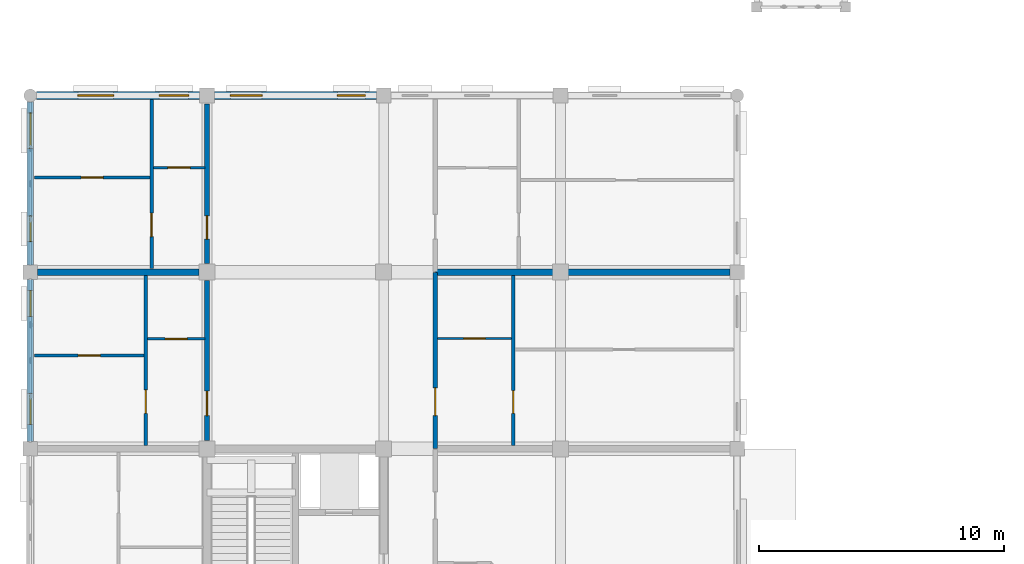
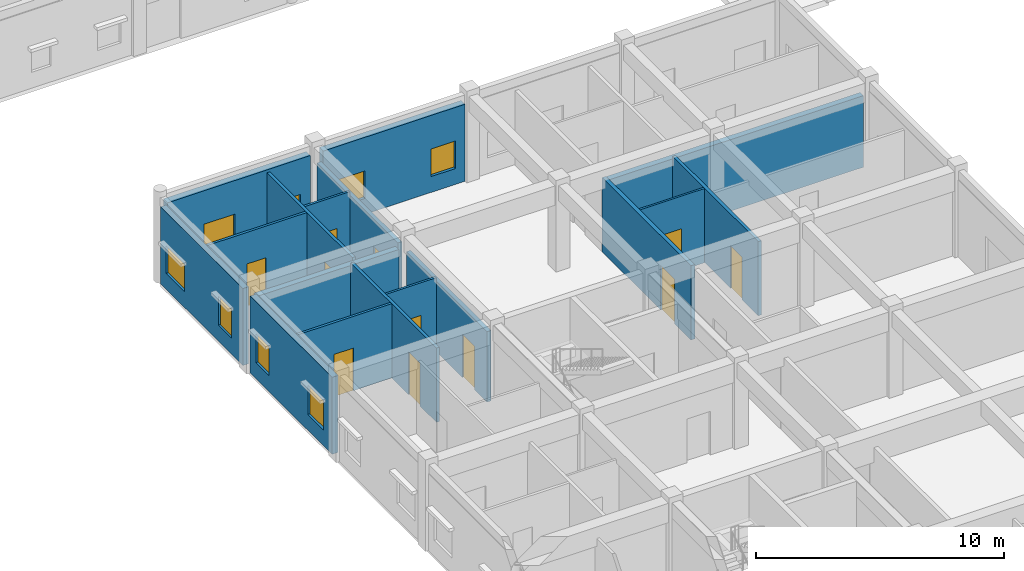
# One storey, part 98 of 138: 17 walls, 11 doors, 8 windows, 19 openings.
"""IFC4 building model written with IfcOpenShell, lengths in metres."""

from ifc_helpers import new_model, si_unit, direction, frame, frame_2d, origin, place, context, subcontext, project, spatial, rectangle, extrude, material, layer, layer_set, type_object, element, fill, save


model = new_model("IFC4")

# Units and contexts
model_context = context("Model", 3, precision=1e-05, world=origin(), true_north=direction((0.0, 1.0)))
body_context = subcontext(model_context, "Body", "Model", "MODEL_VIEW")
ifc_project = project(units=[si_unit("LENGTHUNIT", "METRE"), si_unit("AREAUNIT", "SQUARE_METRE"), si_unit("VOLUMEUNIT", "CUBIC_METRE"), si_unit("PLANEANGLEUNIT", "RADIAN"), si_unit("MASSUNIT", "GRAM", prefix="KILO"), si_unit("THERMODYNAMICTEMPERATUREUNIT", "KELVIN"), si_unit("POWERUNIT", "WATT")], contexts=[model_context])

# Site, building, storey
site_placement = place(None, origin())
site = spatial("IfcSite", under=ifc_project, at=site_placement, CompositionType="ELEMENT")
building_placement = place(site_placement, origin())
building = spatial("IfcBuilding", under=site, at=building_placement, Name="Tavuni Mirador Residences", CompositionType="ELEMENT")
storey_placement = place(building_placement, origin())
storey = spatial("IfcBuildingStorey", under=building, at=storey_placement, Name="L00", CompositionType="ELEMENT", Elevation=0.0)

# Wall, opening, door
ifc_material_1 = material(Name="Precast concrete C40/50", Category="concrete")
ifc_layer_1 = layer(ifc_material_1, 0.18505859375, Name="Precast concrete C40/50", Category="concrete")
ifc_layer_set_1 = layer_set([ifc_layer_1], Name="Precast concrete C40/50")
wall_type_1 = type_object("IfcWallType", Name="WT-CORR185", PredefinedType="PARTITIONING", material=ifc_layer_set_1)
wall_1_placement = place(storey_placement, frame((20.10009765625, 36.02001953125, 0.0), z_axis=(0.0, 0.0, 1.0), x_axis=(0.0, 1.0, 0.0)))
wall_1 = element("IfcWall", 1, at=wall_1_placement, inside=storey, type_object=wall_type_1, Name="CORW-BLK-A-L00-0-04", PredefinedType="PARTITIONING", context=body_context, shape_type="SweptSolid", body=[
    extrude(rectangle(XDim=7.159912109375, YDim=0.18505859375, at=frame_2d((3.580078125, 0.0))), origin(), (0.0, 0.0, 1.0), 3.655029296875),
])
opening_1_placement = place(wall_1_placement, frame((1.330078125, 0.0, 0.0)))
opening_1 = element("IfcOpeningElement", 2, at=opening_1_placement, cuts=wall_1, Name="Opening D-20", PredefinedType="OPENING", context=body_context, shape_type="SweptSolid", body=[
    extrude(rectangle(XDim=1.139892578125, YDim=2.179931640625, at=frame_2d((0.56982421875, 1.08984375))), frame((0.0, 0.1025390625, 0.0), z_axis=(0.0, -1.0, 0.0), x_axis=(1.0, 0.0, 0.0)), (0.0, 0.0, 1.0), 0.205078125),
])
ifc_material_2 = material(Name="Solid core iroko timber", Category="wood")
door_type_1 = type_object("IfcDoorType", Name="DT-FD60-1140", OperationType="NOTDEFINED", PredefinedType="DOOR", material=ifc_material_2)
door_1_placement = place(opening_1_placement, origin())
door_1 = element("IfcDoor", 3, at=door_1_placement, inside=storey, type_object=door_type_1, Name="DR-2387", OperationType="SINGLE_SWING_RIGHT", OverallHeight=2.179931640625, OverallWidth=1.139892578125, PredefinedType="DOOR", context=body_context, shape_type="SweptSolid", body=[
    extrude(rectangle(XDim=1.139892578125, YDim=2.179931640625, at=frame_2d((0.56982421875, 1.08984375))), frame((0.0, 0.02490234375, 0.0), z_axis=(0.0, -1.0, 0.0), x_axis=(1.0, 0.0, 0.0)), (0.0, 0.0, 1.0), 0.050048828125),
])
fill(opening_1, door_1)

wall_2_placement = place(storey_placement, frame((10.800048828125, 36.35009765625, 0.0), z_axis=(0.0, 0.0, 1.0), x_axis=(0.0, 1.0, 0.0)))
wall_2 = element("IfcWall", 4, at=wall_2_placement, inside=storey, type_object=wall_type_1, Name="CORW-BLK-A-L00-1-04", PredefinedType="PARTITIONING", context=body_context, shape_type="SweptSolid", body=[
    extrude(rectangle(XDim=6.5, YDim=0.18505859375, at=frame_2d((3.25, 0.0))), origin(), (0.0, 0.0, 1.0), 3.469970703125),
])
opening_2_placement = place(wall_2_placement, frame((1.0, 0.0, 0.0)))
opening_2 = element("IfcOpeningElement", 5, at=opening_2_placement, cuts=wall_2, Name="Opening D-03", PredefinedType="OPENING", context=body_context, shape_type="SweptSolid", body=[
    extrude(rectangle(XDim=1.0, YDim=2.14990234375, at=frame_2d((0.5, 1.074951171875))), frame((0.0, 0.1025390625, 0.0), z_axis=(0.0, -1.0, 0.0), x_axis=(1.0, 0.0, 0.0)), (0.0, 0.0, 1.0), 0.205078125),
])
door_type_2 = type_object("IfcDoorType", Name="DT-FD60-1000", OperationType="NOTDEFINED", PredefinedType="DOOR", material=ifc_material_2)
door_2_placement = place(opening_2_placement, origin())
door_2 = element("IfcDoor", 6, at=door_2_placement, inside=storey, type_object=door_type_2, Name="DR-2391", OperationType="SINGLE_SWING_RIGHT", OverallHeight=2.14990234375, OverallWidth=1.0, PredefinedType="DOOR", context=body_context, shape_type="SweptSolid", body=[
    extrude(rectangle(XDim=1.0, YDim=2.14990234375, at=frame_2d((0.5, 1.074951171875))), frame((0.0, 0.02490234375, 0.0), z_axis=(0.0, -1.0, 0.0), x_axis=(1.0, 0.0, 0.0)), (0.0, 0.0, 1.0), 0.050048828125),
])
fill(opening_2, door_2)

wall_3_placement = place(storey_placement, frame((10.800048828125, 43.550048828125, 0.0), z_axis=(0.0, 0.0, 1.0), x_axis=(0.0, 1.0, 0.0)))
wall_3 = element("IfcWall", 7, at=wall_3_placement, inside=storey, type_object=wall_type_1, Name="CORW-BLK-A-L00-1-05", PredefinedType="PARTITIONING", context=body_context, shape_type="SweptSolid", body=[
    extrude(rectangle(XDim=6.5, YDim=0.18505859375, at=frame_2d((3.25, 0.0))), origin(), (0.0, 0.0, 1.0), 3.469970703125),
])
opening_3_placement = place(wall_3_placement, frame((1.0, 0.0, 0.0)))
opening_3 = element("IfcOpeningElement", 8, at=opening_3_placement, cuts=wall_3, Name="Opening D-19", PredefinedType="OPENING", context=body_context, shape_type="SweptSolid", body=[
    extrude(rectangle(XDim=0.93994140625, YDim=2.1201171875, at=frame_2d((0.469970703125, 1.06005859375))), frame((0.0, 0.1025390625, 0.0), z_axis=(0.0, -1.0, 0.0), x_axis=(1.0, 0.0, 0.0)), (0.0, 0.0, 1.0), 0.205078125),
])
door_type_3 = type_object("IfcDoorType", Name="DT-FD60-940", OperationType="NOTDEFINED", PredefinedType="DOOR", material=ifc_material_2)
door_3_placement = place(opening_3_placement, origin())
door_3 = element("IfcDoor", 9, at=door_3_placement, inside=storey, type_object=door_type_3, Name="DR-2392", OperationType="SINGLE_SWING_LEFT", OverallHeight=2.1201171875, OverallWidth=0.93994140625, PredefinedType="DOOR", context=body_context, shape_type="SweptSolid", body=[
    extrude(rectangle(XDim=0.93994140625, YDim=2.1201171875, at=frame_2d((0.469970703125, 1.06005859375))), frame((0.0, 0.02490234375, 0.0), z_axis=(0.0, -1.0, 0.0), x_axis=(1.0, 0.0, 0.0)), (0.0, 0.0, 1.0), 0.050048828125),
])
fill(opening_3, door_3)

# Wall, openings, windows
ifc_layer_2 = layer(ifc_material_1, 0.330078125, Name="Precast concrete C40/50", Category="concrete")
ifc_layer_set_2 = layer_set([ifc_layer_2], Name="Precast concrete C40/50")
wall_type_2 = type_object("IfcWallType", Name="WT-EXT-COR330", PredefinedType="SOLIDWALL", material=ifc_layer_set_2)
wall_4_placement = place(storey_placement, frame((10.5, 50.39990234375, 0.0), z_axis=(0.0, 0.0, 1.0), x_axis=(-1.0, 0.0, 0.0)))
wall_4 = element("IfcWall", 10, at=wall_4_placement, inside=storey, type_object=wall_type_2, Name="EW-BLK-A-L00-N00", PredefinedType="SOLIDWALL", context=body_context, shape_type="SweptSolid", body=[
    extrude(rectangle(XDim=6.639892578125, YDim=0.330078125, at=frame_2d((3.31982421875, 0.0))), origin(), (0.0, 0.0, 1.0), 3.7900390625),
])
opening_4_placement = place(wall_4_placement, frame((0.449951171875, 0.0, 0.780029296875)))
opening_4 = element("IfcOpeningElement", 11, at=opening_4_placement, cuts=wall_4, Name="Opening WN-13", PredefinedType="OPENING", context=body_context, shape_type="SweptSolid", body=[
    extrude(rectangle(XDim=1.199951171875, YDim=1.260009765625, at=frame_2d((0.60009765625, 0.6298828125))), frame((0.0, 0.175048828125, 0.0), z_axis=(0.0, -1.0, 0.0), x_axis=(1.0, 0.0, 0.0)), (0.0, 0.0, 1.0), 0.35009765625),
])
opening_5_placement = place(wall_4_placement, frame((3.5, 0.0, 0.780029296875)))
opening_5 = element("IfcOpeningElement", 12, at=opening_5_placement, cuts=wall_4, Name="Opening WN-24", PredefinedType="OPENING", context=body_context, shape_type="SweptSolid", body=[
    extrude(rectangle(XDim=1.4599609375, YDim=1.360107421875, at=frame_2d((0.72998046875, 0.68017578125))), frame((0.0, 0.175048828125, 0.0), z_axis=(0.0, -1.0, 0.0), x_axis=(1.0, 0.0, 0.0)), (0.0, 0.0, 1.0), 0.35009765625),
])
ifc_material_3 = material(Name="Laminated solar-control glass", Category="glass")
window_type_1 = type_object("IfcWindowType", Name="WNT-13", PartitioningType="SINGLE_PANEL", PredefinedType="WINDOW", material=ifc_material_3)
window_1_placement = place(opening_4_placement, origin())
window_1 = element("IfcWindow", 13, at=window_1_placement, inside=storey, type_object=window_type_1, Name="WIN-0021", OverallHeight=1.260009765625, OverallWidth=1.199951171875, PartitioningType="SINGLE_PANEL", PredefinedType="WINDOW", context=body_context, shape_type="SweptSolid", body=[
    extrude(rectangle(XDim=1.199951171875, YDim=1.260009765625, at=frame_2d((0.60009765625, 0.6298828125))), frame((0.0, 0.030029296875, 0.0), z_axis=(0.0, -1.0, 0.0), x_axis=(1.0, 0.0, 0.0)), (0.0, 0.0, 1.0), 0.06005859375),
])
fill(opening_4, window_1)
window_type_2 = type_object("IfcWindowType", Name="WNT-24", PartitioningType="SINGLE_PANEL", PredefinedType="WINDOW", material=ifc_material_3)
window_2_placement = place(opening_5_placement, origin())
window_2 = element("IfcWindow", 14, at=window_2_placement, inside=storey, type_object=window_type_2, Name="WIN-0022", OverallHeight=1.360107421875, OverallWidth=1.4599609375, PartitioningType="SINGLE_PANEL", PredefinedType="WINDOW", context=body_context, shape_type="SweptSolid", body=[
    extrude(rectangle(XDim=1.4599609375, YDim=1.360107421875, at=frame_2d((0.72998046875, 0.68017578125))), frame((0.0, 0.030029296875, 0.0), z_axis=(0.0, -1.0, 0.0), x_axis=(1.0, 0.0, 0.0)), (0.0, 0.0, 1.0), 0.06005859375),
])
fill(opening_5, window_2)

ifc_material_4 = material(Name="Sgraffito lime-rendered precast concrete C40/50", Category="concrete")
ifc_layer_3 = layer(ifc_material_4, 0.2548828125, Name="Sgraffito lime-rendered precast concrete C40/50", Category="concrete")
ifc_layer_set_3 = layer_set([ifc_layer_3], Name="Sgraffito lime-rendered precast concrete C40/50")
wall_type_3 = type_object("IfcWallType", Name="WT-EXT-PC255", PredefinedType="SOLIDWALL", material=ifc_layer_set_3)
wall_5_placement = place(storey_placement, frame((3.60009765625, 50.139892578125, 0.0), z_axis=(0.0, 0.0, 1.0), x_axis=(0.0, -1.0, 0.0)))
wall_5 = element("IfcWall", 15, at=wall_5_placement, inside=storey, type_object=wall_type_3, Name="EW-BLK-A-L00-W05", PredefinedType="SOLIDWALL", context=body_context, shape_type="SweptSolid", body=[
    extrude(rectangle(XDim=6.639892578125, YDim=0.2548828125, at=frame_2d((3.31982421875, 0.0))), origin(), (0.0, 0.0, 1.0), 3.7900390625),
])
opening_6_placement = place(wall_5_placement, frame((0.449951171875, 0.0, 0.780029296875)))
opening_6 = element("IfcOpeningElement", 16, at=opening_6_placement, cuts=wall_5, Name="Opening WN-24", PredefinedType="OPENING", context=body_context, shape_type="SweptSolid", body=[
    extrude(rectangle(XDim=1.4599609375, YDim=1.360107421875, at=frame_2d((0.72998046875, 0.68017578125))), frame((0.0, 0.137451171875, 0.0), z_axis=(0.0, -1.0, 0.0), x_axis=(1.0, 0.0, 0.0)), (0.0, 0.0, 1.0), 0.27490234375),
])
opening_7_placement = place(wall_5_placement, frame((4.64990234375, 0.0, 0.780029296875)))
opening_7 = element("IfcOpeningElement", 17, at=opening_7_placement, cuts=wall_5, Name="Opening WN-26", PredefinedType="OPENING", context=body_context, shape_type="SweptSolid", body=[
    extrude(rectangle(XDim=1.050048828125, YDim=1.43994140625, at=frame_2d((0.52490234375, 0.719970703125))), frame((0.0, 0.137451171875, 0.0), z_axis=(0.0, -1.0, 0.0), x_axis=(1.0, 0.0, 0.0)), (0.0, 0.0, 1.0), 0.27490234375),
])
window_3_placement = place(opening_6_placement, origin())
window_3 = element("IfcWindow", 18, at=window_3_placement, inside=storey, type_object=window_type_2, Name="WIN-0023", OverallHeight=1.360107421875, OverallWidth=1.4599609375, PartitioningType="SINGLE_PANEL", PredefinedType="WINDOW", context=body_context, shape_type="SweptSolid", body=[
    extrude(rectangle(XDim=1.4599609375, YDim=1.360107421875, at=frame_2d((0.72998046875, 0.68017578125))), frame((0.0, 0.030029296875, 0.0), z_axis=(0.0, -1.0, 0.0), x_axis=(1.0, 0.0, 0.0)), (0.0, 0.0, 1.0), 0.06005859375),
])
fill(opening_6, window_3)
window_type_3 = type_object("IfcWindowType", Name="WNT-26", PartitioningType="SINGLE_PANEL", PredefinedType="WINDOW", material=ifc_material_3)
window_4_placement = place(opening_7_placement, origin())
window_4 = element("IfcWindow", 19, at=window_4_placement, inside=storey, type_object=window_type_3, Name="WIN-0024", OverallHeight=1.43994140625, OverallWidth=1.050048828125, PartitioningType="SINGLE_PANEL", PredefinedType="WINDOW", context=body_context, shape_type="SweptSolid", body=[
    extrude(rectangle(XDim=1.050048828125, YDim=1.43994140625, at=frame_2d((0.52490234375, 0.719970703125))), frame((0.0, 0.030029296875, 0.0), z_axis=(0.0, -1.0, 0.0), x_axis=(1.0, 0.0, 0.0)), (0.0, 0.0, 1.0), 0.06005859375),
])
fill(opening_7, window_4)

ifc_layer_4 = layer(ifc_material_4, 0.27490234375, Name="Sgraffito lime-rendered precast concrete C40/50", Category="concrete")
ifc_layer_set_4 = layer_set([ifc_layer_4], Name="Sgraffito lime-rendered precast concrete C40/50")
wall_type_4 = type_object("IfcWallType", Name="WT-EXT-PC275", PredefinedType="SOLIDWALL", material=ifc_layer_set_4)
wall_6_placement = place(storey_placement, frame((3.60009765625, 42.89990234375, 0.0), z_axis=(0.0, 0.0, 1.0), x_axis=(0.0, -1.0, 0.0)))
wall_6 = element("IfcWall", 20, at=wall_6_placement, inside=storey, type_object=wall_type_4, Name="EW-BLK-A-L00-W04", PredefinedType="SOLIDWALL", context=body_context, shape_type="SweptSolid", body=[
    extrude(rectangle(XDim=6.599853515625, YDim=0.27490234375, at=frame_2d((3.2998046875, 0.0))), origin(), (0.0, 0.0, 1.0), 3.7900390625),
])
opening_8_placement = place(wall_6_placement, frame((0.449951171875, 0.0, 0.780029296875)))
opening_8 = element("IfcOpeningElement", 21, at=opening_8_placement, cuts=wall_6, Name="Opening WN-26", PredefinedType="OPENING", context=body_context, shape_type="SweptSolid", body=[
    extrude(rectangle(XDim=1.050048828125, YDim=1.43994140625, at=frame_2d((0.52490234375, 0.719970703125))), frame((0.0, 0.1474609375, 0.0), z_axis=(0.0, -1.0, 0.0), x_axis=(1.0, 0.0, 0.0)), (0.0, 0.0, 1.0), 0.294921875),
])
opening_9_placement = place(wall_6_placement, frame((4.64990234375, 0.0, 0.780029296875)))
opening_9 = element("IfcOpeningElement", 22, at=opening_9_placement, cuts=wall_6, Name="Opening WN-28", PredefinedType="OPENING", context=body_context, shape_type="SweptSolid", body=[
    extrude(rectangle(XDim=1.25, YDim=1.43994140625, at=frame_2d((0.625, 0.719970703125))), frame((0.0, 0.1474609375, 0.0), z_axis=(0.0, -1.0, 0.0), x_axis=(1.0, 0.0, 0.0)), (0.0, 0.0, 1.0), 0.294921875),
])
window_5_placement = place(opening_8_placement, origin())
window_5 = element("IfcWindow", 23, at=window_5_placement, inside=storey, type_object=window_type_3, Name="WIN-0025", OverallHeight=1.43994140625, OverallWidth=1.050048828125, PartitioningType="SINGLE_PANEL", PredefinedType="WINDOW", context=body_context, shape_type="SweptSolid", body=[
    extrude(rectangle(XDim=1.050048828125, YDim=1.43994140625, at=frame_2d((0.52490234375, 0.719970703125))), frame((0.0, 0.030029296875, 0.0), z_axis=(0.0, -1.0, 0.0), x_axis=(1.0, 0.0, 0.0)), (0.0, 0.0, 1.0), 0.06005859375),
])
fill(opening_8, window_5)
window_type_4 = type_object("IfcWindowType", Name="WNT-28", PartitioningType="SINGLE_PANEL", PredefinedType="WINDOW", material=ifc_material_3)
window_6_placement = place(opening_9_placement, origin())
window_6 = element("IfcWindow", 24, at=window_6_placement, inside=storey, type_object=window_type_4, Name="WIN-0026", OverallHeight=1.43994140625, OverallWidth=1.25, PartitioningType="SINGLE_PANEL", PredefinedType="WINDOW", context=body_context, shape_type="SweptSolid", body=[
    extrude(rectangle(XDim=1.25, YDim=1.43994140625, at=frame_2d((0.625, 0.719970703125))), frame((0.0, 0.030029296875, 0.0), z_axis=(0.0, -1.0, 0.0), x_axis=(1.0, 0.0, 0.0)), (0.0, 0.0, 1.0), 0.06005859375),
])
fill(opening_9, window_6)

ifc_layer_5 = layer(ifc_material_4, 0.31494140625, Name="Sgraffito lime-rendered precast concrete C40/50", Category="concrete")
ifc_layer_set_5 = layer_set([ifc_layer_5], Name="Sgraffito lime-rendered precast concrete C40/50")
wall_type_5 = type_object("IfcWallType", Name="WT-EXT-PC315", PredefinedType="SOLIDWALL", material=ifc_layer_set_5)
wall_7_placement = place(storey_placement, frame((17.699951171875, 50.39990234375, 0.0), z_axis=(0.0, 0.0, 1.0), x_axis=(-1.0, 0.0, 0.0)))
wall_7 = element("IfcWall", 25, at=wall_7_placement, inside=storey, type_object=wall_type_5, Name="EW-BLK-A-L00-N01", PredefinedType="SOLIDWALL", context=body_context, shape_type="SweptSolid", body=[
    extrude(rectangle(XDim=6.599853515625, YDim=0.31494140625, at=frame_2d((3.2998046875, 0.0))), origin(), (0.0, 0.0, 1.0), 3.7900390625),
])
opening_10_placement = place(wall_7_placement, frame((0.449951171875, 0.0, 0.780029296875)))
opening_10 = element("IfcOpeningElement", 26, at=opening_10_placement, cuts=wall_7, Name="Opening WN-20", PredefinedType="OPENING", context=body_context, shape_type="SweptSolid", body=[
    extrude(rectangle(XDim=1.139892578125, YDim=1.360107421875, at=frame_2d((0.56982421875, 0.68017578125))), frame((0.0, 0.16748046875, 0.0), z_axis=(0.0, -1.0, 0.0), x_axis=(1.0, 0.0, 0.0)), (0.0, 0.0, 1.0), 0.3349609375),
])
opening_11_placement = place(wall_7_placement, frame((4.64990234375, 0.0, 0.780029296875)))
opening_11 = element("IfcOpeningElement", 27, at=opening_11_placement, cuts=wall_7, Name="Opening WN-22", PredefinedType="OPENING", context=body_context, shape_type="SweptSolid", body=[
    extrude(rectangle(XDim=1.300048828125, YDim=1.360107421875, at=frame_2d((0.64990234375, 0.68017578125))), frame((0.0, 0.16748046875, 0.0), z_axis=(0.0, -1.0, 0.0), x_axis=(1.0, 0.0, 0.0)), (0.0, 0.0, 1.0), 0.3349609375),
])
window_type_5 = type_object("IfcWindowType", Name="WNT-20", PartitioningType="SINGLE_PANEL", PredefinedType="WINDOW", material=ifc_material_3)
window_7_placement = place(opening_10_placement, origin())
window_7 = element("IfcWindow", 28, at=window_7_placement, inside=storey, type_object=window_type_5, Name="WIN-0019", OverallHeight=1.360107421875, OverallWidth=1.139892578125, PartitioningType="SINGLE_PANEL", PredefinedType="WINDOW", context=body_context, shape_type="SweptSolid", body=[
    extrude(rectangle(XDim=1.139892578125, YDim=1.360107421875, at=frame_2d((0.56982421875, 0.68017578125))), frame((0.0, 0.030029296875, 0.0), z_axis=(0.0, -1.0, 0.0), x_axis=(1.0, 0.0, 0.0)), (0.0, 0.0, 1.0), 0.06005859375),
])
fill(opening_10, window_7)
window_type_6 = type_object("IfcWindowType", Name="WNT-22", PartitioningType="SINGLE_PANEL", PredefinedType="WINDOW", material=ifc_material_3)
window_8_placement = place(opening_11_placement, origin())
window_8 = element("IfcWindow", 29, at=window_8_placement, inside=storey, type_object=window_type_6, Name="WIN-0020", OverallHeight=1.360107421875, OverallWidth=1.300048828125, PartitioningType="SINGLE_PANEL", PredefinedType="WINDOW", context=body_context, shape_type="SweptSolid", body=[
    extrude(rectangle(XDim=1.300048828125, YDim=1.360107421875, at=frame_2d((0.64990234375, 0.68017578125))), frame((0.0, 0.030029296875, 0.0), z_axis=(0.0, -1.0, 0.0), x_axis=(1.0, 0.0, 0.0)), (0.0, 0.0, 1.0), 0.06005859375),
])
fill(opening_11, window_8)

# Wall, opening, door
ifc_material_5 = material(Name="Acoustic gypsum and concrete block partition", Category="concrete")
ifc_layer_6 = layer(ifc_material_5, 0.094970703125, Name="Acoustic gypsum and concrete block partition", Category="concrete")
ifc_layer_set_6 = layer_set([ifc_layer_6], Name="Acoustic gypsum and concrete block partition")
wall_type_6 = type_object("IfcWallType", Name="WT-PART095", PredefinedType="PARTITIONING", material=ifc_layer_set_6)
wall_8_placement = place(storey_placement, frame((20.18994140625, 40.5, 0.0), z_axis=(0.0, 0.0, 1.0), x_axis=(1.0, 0.0, 0.0)))
wall_8 = element("IfcWall", 30, at=wall_8_placement, inside=storey, type_object=wall_type_6, Name="PW-BLK-A-L00-E04-IN1", PredefinedType="PARTITIONING", context=body_context, shape_type="SweptSolid", body=[
    extrude(rectangle(XDim=3.02001953125, YDim=0.094970703125, at=frame_2d((1.510009765625, 0.0))), origin(), (0.0, 0.0, 1.0), 3.655029296875),
])
opening_12_placement = place(wall_8_placement, frame((1.074951171875, 0.0, 0.0)))
opening_12 = element("IfcOpeningElement", 31, at=opening_12_placement, cuts=wall_8, Name="Opening D-10", PredefinedType="OPENING", context=body_context, shape_type="SweptSolid", body=[
    extrude(rectangle(XDim=0.8701171875, YDim=2.050048828125, at=frame_2d((0.43505859375, 1.02490234375))), frame((0.0, 0.0576171875, 0.0), z_axis=(0.0, -1.0, 0.0), x_axis=(1.0, 0.0, 0.0)), (0.0, 0.0, 1.0), 0.114990234375),
])
door_type_4 = type_object("IfcDoorType", Name="DT-WC870", OperationType="NOTDEFINED", PredefinedType="DOOR", material=ifc_material_2)
door_4_placement = place(opening_12_placement, origin())
door_4 = element("IfcDoor", 32, at=door_4_placement, inside=storey, type_object=door_type_4, Name="DR-2947", OperationType="SINGLE_SWING_LEFT", OverallHeight=2.050048828125, OverallWidth=0.8701171875, PredefinedType="DOOR", context=body_context, shape_type="SweptSolid", body=[
    extrude(rectangle(XDim=0.8701171875, YDim=2.050048828125, at=frame_2d((0.43505859375, 1.02490234375))), frame((0.0, 0.02490234375, 0.0), z_axis=(0.0, -1.0, 0.0), x_axis=(1.0, 0.0, 0.0)), (0.0, 0.0, 1.0), 0.050048828125),
])
fill(opening_12, door_4)

ifc_layer_7 = layer(ifc_material_5, 0.10498046875, Name="Acoustic gypsum and concrete block partition", Category="concrete")
ifc_layer_set_7 = layer_set([ifc_layer_7], Name="Acoustic gypsum and concrete block partition")
wall_type_7 = type_object("IfcWallType", Name="WT-PART105", PredefinedType="PARTITIONING", material=ifc_layer_set_7)
wall_9_placement = place(storey_placement, frame((8.3701171875, 40.47998046875, 0.0), z_axis=(0.0, 0.0, 1.0), x_axis=(1.0, 0.0, 0.0)))
wall_9 = element("IfcWall", 33, at=wall_9_placement, inside=storey, type_object=wall_type_7, Name="PW-BLK-A-L00-W04-IN1", PredefinedType="PARTITIONING", context=body_context, shape_type="SweptSolid", body=[
    extrude(rectangle(XDim=2.33984375, YDim=0.10498046875, at=frame_2d((1.169921875, 0.0))), origin(), (0.0, 0.0, 1.0), 3.655029296875),
])
opening_13_placement = place(wall_9_placement, frame((0.719970703125, 0.0, 0.0)))
opening_13 = element("IfcOpeningElement", 34, at=opening_13_placement, cuts=wall_9, Name="Opening D-09", PredefinedType="OPENING", context=body_context, shape_type="SweptSolid", body=[
    extrude(rectangle(XDim=0.89990234375, YDim=2.050048828125, at=frame_2d((0.449951171875, 1.02490234375))), frame((0.0, 0.0625, 0.0), z_axis=(0.0, -1.0, 0.0), x_axis=(1.0, 0.0, 0.0)), (0.0, 0.0, 1.0), 0.125),
])
door_type_5 = type_object("IfcDoorType", Name="DT-WC900", OperationType="NOTDEFINED", PredefinedType="DOOR", material=ifc_material_2)
door_5_placement = place(opening_13_placement, origin())
door_5 = element("IfcDoor", 35, at=door_5_placement, inside=storey, type_object=door_type_5, Name="DR-2944", OperationType="SINGLE_SWING_RIGHT", OverallHeight=2.050048828125, OverallWidth=0.89990234375, PredefinedType="DOOR", context=body_context, shape_type="SweptSolid", body=[
    extrude(rectangle(XDim=0.89990234375, YDim=2.050048828125, at=frame_2d((0.449951171875, 1.02490234375))), frame((0.0, 0.02490234375, 0.0), z_axis=(0.0, -1.0, 0.0), x_axis=(1.0, 0.0, 0.0)), (0.0, 0.0, 1.0), 0.050048828125),
])
fill(opening_13, door_5)

wall_10_placement = place(storey_placement, frame((8.610107421875, 47.4599609375, 0.0), z_axis=(0.0, 0.0, 1.0), x_axis=(1.0, 0.0, 0.0)))
wall_10 = element("IfcWall", 36, at=wall_10_placement, inside=storey, type_object=wall_type_7, Name="PW-BLK-A-L00-W05-IN1", PredefinedType="PARTITIONING", context=body_context, shape_type="SweptSolid", body=[
    extrude(rectangle(XDim=2.099853515625, YDim=0.10498046875, at=frame_2d((1.0498046875, 0.0))), origin(), (0.0, 0.0, 1.0), 3.655029296875),
])
opening_14_placement = place(wall_10_placement, frame((0.60009765625, 0.0, 0.0)))
opening_14 = element("IfcOpeningElement", 37, at=opening_14_placement, cuts=wall_10, Name="Opening D-09", PredefinedType="OPENING", context=body_context, shape_type="SweptSolid", body=[
    extrude(rectangle(XDim=0.89990234375, YDim=2.050048828125, at=frame_2d((0.449951171875, 1.02490234375))), frame((0.0, 0.0625, 0.0), z_axis=(0.0, -1.0, 0.0), x_axis=(1.0, 0.0, 0.0)), (0.0, 0.0, 1.0), 0.125),
])
door_6_placement = place(opening_14_placement, origin())
door_6 = element("IfcDoor", 38, at=door_6_placement, inside=storey, type_object=door_type_5, Name="DR-2950", OperationType="SINGLE_SWING_RIGHT", OverallHeight=2.050048828125, OverallWidth=0.89990234375, PredefinedType="DOOR", context=body_context, shape_type="SweptSolid", body=[
    extrude(rectangle(XDim=0.89990234375, YDim=2.050048828125, at=frame_2d((0.449951171875, 1.02490234375))), frame((0.0, 0.02490234375, 0.0), z_axis=(0.0, -1.0, 0.0), x_axis=(1.0, 0.0, 0.0)), (0.0, 0.0, 1.0), 0.050048828125),
])
fill(opening_14, door_6)

ifc_layer_8 = layer(ifc_material_5, 0.114990234375, Name="Acoustic gypsum and concrete block partition", Category="concrete")
ifc_layer_set_8 = layer_set([ifc_layer_8], Name="Acoustic gypsum and concrete block partition")
wall_type_8 = type_object("IfcWallType", Name="WT-PART115", PredefinedType="PARTITIONING", material=ifc_layer_set_8)
wall_11_placement = place(storey_placement, frame((3.77490234375, 39.800048828125, 0.0), z_axis=(0.0, 0.0, 1.0), x_axis=(1.0, 0.0, 0.0)))
wall_11 = element("IfcWall", 39, at=wall_11_placement, inside=storey, type_object=wall_type_8, Name="PW-BLK-A-L00-W04-OUT", PredefinedType="PARTITIONING", context=body_context, shape_type="SweptSolid", body=[
    extrude(rectangle(XDim=4.455078125, YDim=0.114990234375, at=frame_2d((2.2275390625, 0.0))), origin(), (0.0, 0.0, 1.0), 3.655029296875),
])
opening_15_placement = place(wall_11_placement, frame((1.777587890625, 0.0, 0.0)))
opening_15 = element("IfcOpeningElement", 40, at=opening_15_placement, cuts=wall_11, Name="Opening D-07", PredefinedType="OPENING", context=body_context, shape_type="SweptSolid", body=[
    extrude(rectangle(XDim=0.89990234375, YDim=2.10009765625, at=frame_2d((0.449951171875, 1.050048828125))), frame((0.0, 0.0673828125, 0.0), z_axis=(0.0, -1.0, 0.0), x_axis=(1.0, 0.0, 0.0)), (0.0, 0.0, 1.0), 0.135009765625),
])
door_type_6 = type_object("IfcDoorType", Name="DT-BED900", OperationType="NOTDEFINED", PredefinedType="DOOR", material=ifc_material_2)
door_7_placement = place(opening_15_placement, origin())
door_7 = element("IfcDoor", 41, at=door_7_placement, inside=storey, type_object=door_type_6, Name="DR-2943", OperationType="SINGLE_SWING_LEFT", OverallHeight=2.10009765625, OverallWidth=0.89990234375, PredefinedType="DOOR", context=body_context, shape_type="SweptSolid", body=[
    extrude(rectangle(XDim=0.89990234375, YDim=2.10009765625, at=frame_2d((0.449951171875, 1.050048828125))), frame((0.0, 0.02490234375, 0.0), z_axis=(0.0, -1.0, 0.0), x_axis=(1.0, 0.0, 0.0)), (0.0, 0.0, 1.0), 0.050048828125),
])
fill(opening_15, door_7)

wall_12_placement = place(storey_placement, frame((3.77490234375, 47.06005859375, 0.0), z_axis=(0.0, 0.0, 1.0), x_axis=(1.0, 0.0, 0.0)))
wall_12 = element("IfcWall", 42, at=wall_12_placement, inside=storey, type_object=wall_type_8, Name="PW-BLK-A-L00-W05-OUT", PredefinedType="PARTITIONING", context=body_context, shape_type="SweptSolid", body=[
    extrude(rectangle(XDim=4.695068359375, YDim=0.114990234375, at=frame_2d((2.34765625, 0.0))), origin(), (0.0, 0.0, 1.0), 3.655029296875),
])
opening_16_placement = place(wall_12_placement, frame((1.8974609375, 0.0, 0.0)))
opening_16 = element("IfcOpeningElement", 43, at=opening_16_placement, cuts=wall_12, Name="Opening D-07", PredefinedType="OPENING", context=body_context, shape_type="SweptSolid", body=[
    extrude(rectangle(XDim=0.89990234375, YDim=2.10009765625, at=frame_2d((0.449951171875, 1.050048828125))), frame((0.0, 0.0673828125, 0.0), z_axis=(0.0, -1.0, 0.0), x_axis=(1.0, 0.0, 0.0)), (0.0, 0.0, 1.0), 0.135009765625),
])
door_8_placement = place(opening_16_placement, origin())
door_8 = element("IfcDoor", 44, at=door_8_placement, inside=storey, type_object=door_type_6, Name="DR-2949", OperationType="SINGLE_SWING_LEFT", OverallHeight=2.10009765625, OverallWidth=0.89990234375, PredefinedType="DOOR", context=body_context, shape_type="SweptSolid", body=[
    extrude(rectangle(XDim=0.89990234375, YDim=2.10009765625, at=frame_2d((0.449951171875, 1.050048828125))), frame((0.0, 0.02490234375, 0.0), z_axis=(0.0, -1.0, 0.0), x_axis=(1.0, 0.0, 0.0)), (0.0, 0.0, 1.0), 0.050048828125),
])
fill(opening_16, door_8)

ifc_layer_9 = layer(ifc_material_5, 0.139892578125, Name="Acoustic gypsum and concrete block partition", Category="concrete")
ifc_layer_set_9 = layer_set([ifc_layer_9], Name="Acoustic gypsum and concrete block partition")
wall_type_9 = type_object("IfcWallType", Name="WT-PART140", PredefinedType="PARTITIONING", material=ifc_layer_set_9)
wall_13_placement = place(storey_placement, frame((8.300048828125, 36.139892578125, 0.0), z_axis=(0.0, 0.0, 1.0), x_axis=(0.0, 1.0, 0.0)))
wall_13 = element("IfcWall", 45, at=wall_13_placement, inside=storey, type_object=wall_type_9, Name="PW-BLK-A-L00-W04-MID", PredefinedType="PARTITIONING", context=body_context, shape_type="SweptSolid", body=[
    extrude(rectangle(XDim=6.920166015625, YDim=0.139892578125, at=frame_2d((3.4599609375, 0.0))), origin(), (0.0, 0.0, 1.0), 3.655029296875),
])
opening_17_placement = place(wall_13_placement, frame((1.31005859375, 0.0, 0.0)))
opening_17 = element("IfcOpeningElement", 46, at=opening_17_placement, cuts=wall_13, Name="Opening D-05", PredefinedType="OPENING", context=body_context, shape_type="SweptSolid", body=[
    extrude(rectangle(XDim=0.949951171875, YDim=2.10009765625, at=frame_2d((0.47509765625, 1.050048828125))), frame((0.0, 0.080078125, 0.0), z_axis=(0.0, -1.0, 0.0), x_axis=(1.0, 0.0, 0.0)), (0.0, 0.0, 1.0), 0.159912109375),
])
door_type_7 = type_object("IfcDoorType", Name="DT-INT950", OperationType="NOTDEFINED", PredefinedType="DOOR", material=ifc_material_2)
door_9_placement = place(opening_17_placement, origin())
door_9 = element("IfcDoor", 47, at=door_9_placement, inside=storey, type_object=door_type_7, Name="DR-2945", OperationType="SINGLE_SWING_LEFT", OverallHeight=2.10009765625, OverallWidth=0.949951171875, PredefinedType="DOOR", context=body_context, shape_type="SweptSolid", body=[
    extrude(rectangle(XDim=0.949951171875, YDim=2.10009765625, at=frame_2d((0.47509765625, 1.050048828125))), frame((0.0, 0.02490234375, 0.0), z_axis=(0.0, -1.0, 0.0), x_axis=(1.0, 0.0, 0.0)), (0.0, 0.0, 1.0), 0.050048828125),
])
fill(opening_17, door_9)

wall_14_placement = place(storey_placement, frame((8.5400390625, 43.340087890625, 0.0), z_axis=(0.0, 0.0, 1.0), x_axis=(0.0, 1.0, 0.0)))
wall_14 = element("IfcWall", 48, at=wall_14_placement, inside=storey, type_object=wall_type_9, Name="PW-BLK-A-L00-W05-MID", PredefinedType="PARTITIONING", context=body_context, shape_type="SweptSolid", body=[
    extrude(rectangle(XDim=6.885009765625, YDim=0.139892578125, at=frame_2d((3.4423828125, 0.0))), origin(), (0.0, 0.0, 1.0), 3.655029296875),
])
opening_18_placement = place(wall_14_placement, frame((1.31005859375, 0.0, 0.0)))
opening_18 = element("IfcOpeningElement", 49, at=opening_18_placement, cuts=wall_14, Name="Opening D-05", PredefinedType="OPENING", context=body_context, shape_type="SweptSolid", body=[
    extrude(rectangle(XDim=0.949951171875, YDim=2.10009765625, at=frame_2d((0.47509765625, 1.050048828125))), frame((0.0, 0.080078125, 0.0), z_axis=(0.0, -1.0, 0.0), x_axis=(1.0, 0.0, 0.0)), (0.0, 0.0, 1.0), 0.159912109375),
])
door_10_placement = place(opening_18_placement, origin())
door_10 = element("IfcDoor", 50, at=door_10_placement, inside=storey, type_object=door_type_7, Name="DR-2951", OperationType="SINGLE_SWING_LEFT", OverallHeight=2.10009765625, OverallWidth=0.949951171875, PredefinedType="DOOR", context=body_context, shape_type="SweptSolid", body=[
    extrude(rectangle(XDim=0.949951171875, YDim=2.10009765625, at=frame_2d((0.47509765625, 1.050048828125))), frame((0.0, 0.02490234375, 0.0), z_axis=(0.0, -1.0, 0.0), x_axis=(1.0, 0.0, 0.0)), (0.0, 0.0, 1.0), 0.050048828125),
])
fill(opening_18, door_10)

ifc_layer_10 = layer(ifc_material_5, 0.14990234375, Name="Acoustic gypsum and concrete block partition", Category="concrete")
ifc_layer_set_10 = layer_set([ifc_layer_10], Name="Acoustic gypsum and concrete block partition")
wall_type_10 = type_object("IfcWallType", Name="WT-PART150", PredefinedType="PARTITIONING", material=ifc_layer_set_10)
wall_15_placement = place(storey_placement, frame((23.280029296875, 36.139892578125, 0.0), z_axis=(0.0, 0.0, 1.0), x_axis=(0.0, 1.0, 0.0)))
wall_15 = element("IfcWall", 51, at=wall_15_placement, inside=storey, type_object=wall_type_10, Name="PW-BLK-A-L00-E04-MID", PredefinedType="PARTITIONING", context=body_context, shape_type="SweptSolid", body=[
    extrude(rectangle(XDim=6.920166015625, YDim=0.14990234375, at=frame_2d((3.4599609375, 0.0))), origin(), (0.0, 0.0, 1.0), 3.655029296875),
])
opening_19_placement = place(wall_15_placement, frame((1.31005859375, 0.0, 0.0)))
opening_19 = element("IfcOpeningElement", 52, at=opening_19_placement, cuts=wall_15, Name="Opening D-06", PredefinedType="OPENING", context=body_context, shape_type="SweptSolid", body=[
    extrude(rectangle(XDim=0.919921875, YDim=2.10009765625, at=frame_2d((0.4599609375, 1.050048828125))), frame((0.0, 0.0849609375, 0.0), z_axis=(0.0, -1.0, 0.0), x_axis=(1.0, 0.0, 0.0)), (0.0, 0.0, 1.0), 0.169921875),
])
door_type_8 = type_object("IfcDoorType", Name="DT-INT920", OperationType="NOTDEFINED", PredefinedType="DOOR", material=ifc_material_2)
door_11_placement = place(opening_19_placement, origin())
door_11 = element("IfcDoor", 53, at=door_11_placement, inside=storey, type_object=door_type_8, Name="DR-2948", OperationType="SINGLE_SWING_RIGHT", OverallHeight=2.10009765625, OverallWidth=0.919921875, PredefinedType="DOOR", context=body_context, shape_type="SweptSolid", body=[
    extrude(rectangle(XDim=0.919921875, YDim=2.10009765625, at=frame_2d((0.4599609375, 1.050048828125))), frame((0.0, 0.02490234375, 0.0), z_axis=(0.0, -1.0, 0.0), x_axis=(1.0, 0.0, 0.0)), (0.0, 0.0, 1.0), 0.050048828125),
])
fill(opening_19, door_11)

# Walls
ifc_layer_11 = layer(ifc_material_1, 0.264892578125, Name="Precast concrete C40/50", Category="concrete")
ifc_layer_set_11 = layer_set([ifc_layer_11], Name="Precast concrete C40/50")
wall_type_11 = type_object("IfcWallType", Name="WT-XW265", PredefinedType="SOLIDWALL", material=ifc_layer_set_11)
wall_16_placement = place(storey_placement, frame((3.89990234375, 43.199951171875, 0.0), z_axis=(0.0, 0.0, 1.0), x_axis=(1.0, 0.0, 0.0)))
element("IfcWall", 54, at=wall_16_placement, inside=storey, type_object=wall_type_11, Name="XW-BLK-A-L00-W-05", PredefinedType="SOLIDWALL", context=body_context, shape_type="SweptSolid", body=[
    extrude(rectangle(XDim=6.5751953125, YDim=0.264892578125, at=frame_2d((3.28759765625, 0.0))), origin(), (0.0, 0.0, 1.0), 3.52001953125),
])
wall_17_placement = place(storey_placement, frame((20.10009765625, 43.199951171875, 0.0), z_axis=(0.0, 0.0, 1.0), x_axis=(1.0, 0.0, 0.0)))
element("IfcWall", 55, at=wall_17_placement, inside=storey, type_object=wall_type_11, Name="XW-BLK-A-L00-E-05", PredefinedType="SOLIDWALL", context=body_context, shape_type="SweptSolid", body=[
    extrude(rectangle(XDim=12.0, YDim=0.264892578125, at=frame_2d((6.0, 0.0))), origin(), (0.0, 0.0, 1.0), 3.52001953125),
])

save(model, "model.ifc")
